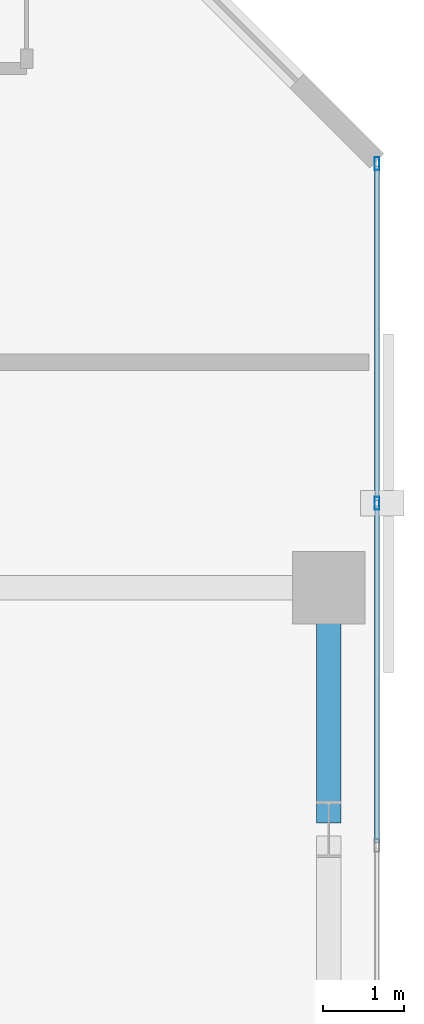
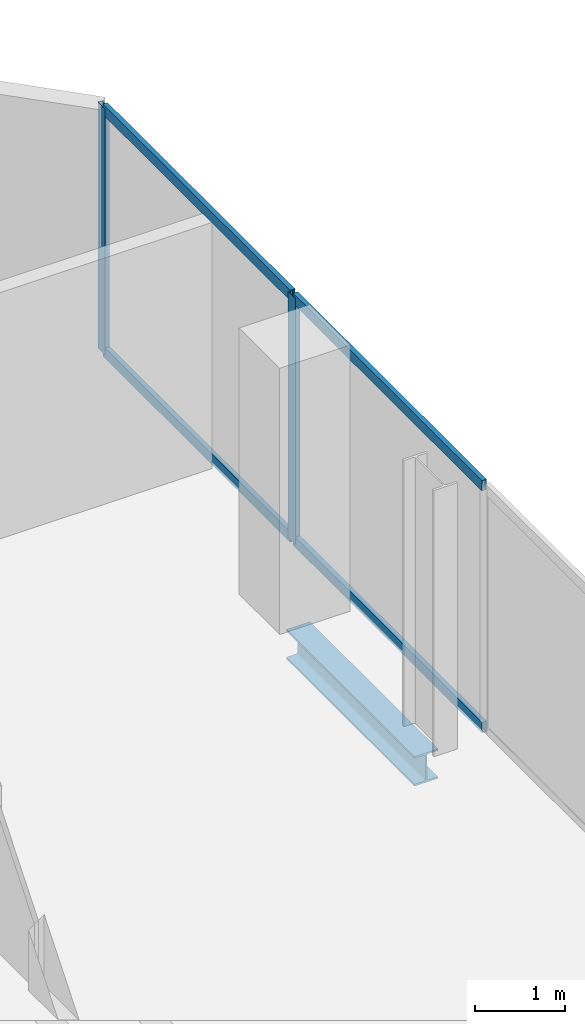
# One storey, part 26 of 33: 6 members, 1 beam, 1 element without a shape of its own.
"""IFC4 building model written with IfcOpenShell, lengths in metres."""

from ifc_helpers import new_model, si_unit, direction, frame, origin, origin_2d, place, context, subcontext, project, spatial, hollow_rectangle, i_section, extrude, material, layer, layer_set, material_profile, profile_set, type_object, element, aggregate, save


model = new_model("IFC4")

# Units and contexts
model_context = context("Model", 3, precision=1e-05, world=origin(), true_north=direction((0.0, 1.0)))
body_context = subcontext(model_context, "Body", "Model", "MODEL_VIEW")
ifc_project = project(units=[si_unit("LENGTHUNIT", "METRE"), si_unit("AREAUNIT", "SQUARE_METRE"), si_unit("VOLUMEUNIT", "CUBIC_METRE"), si_unit("PLANEANGLEUNIT", "RADIAN"), si_unit("MASSUNIT", "GRAM", prefix="KILO")], contexts=[model_context])

# Site, building, storey
site_placement = place(None, origin())
site = spatial("IfcSite", under=ifc_project, at=site_placement, CompositionType="ELEMENT")
building_placement = place(site_placement, origin())
building = spatial("IfcBuilding", under=site, at=building_placement, Name="Catumbela Crestline Tower", CompositionType="ELEMENT")
storey_placement = place(building_placement, frame((0.0, 0.0, 100.8)))
storey = spatial("IfcBuildingStorey", under=building, at=storey_placement, Name="L25", CompositionType="ELEMENT", Elevation=100.8)

# Curtain wall, members
ifc_material_1 = material(Name="Aluminium alloy AW-6060-T66", Category="aluminium")
ifc_layer = layer(ifc_material_1, 0.18, Name="Aluminium alloy AW-6060-T66")
ifc_layer_set = layer_set([ifc_layer], Name="Aluminium alloy AW-6060-T66")
curtain_wall_type = type_object("IfcCurtainWallType", Name="CWU-Z2", PredefinedType="USERDEFINED", material=ifc_layer_set)
curtain_wall_placement = place(storey_placement, origin())
curtain_wall = element("IfcCurtainWall", 1, at=curtain_wall_placement, inside=storey, type_object=curtain_wall_type, Name="L25 Unitised Curtain Wall CW-L25-E5S1", ObjectType="UNITISED", PredefinedType="USERDEFINED")
ifc_material_profile_1 = material_profile(ifc_material_1, hollow_rectangle(XDim=0.06, YDim=0.16, WallThickness=0.004, at=origin_2d()), Name="ALU 160x60x4")
ifc_profile_set_1 = profile_set([ifc_material_profile_1], Name="Aluminium alloy AW-6060-T66")
member_type_1 = type_object("IfcMemberType", Name="MUL-160X60", PredefinedType="MULLION", material=ifc_profile_set_1)
member_1_placement = place(storey_placement, frame((51.0, 40.25, 0.0), z_axis=(0.0, 0.0, 1.0), x_axis=(-1.0, 0.0, 0.0)))
member_1 = element("IfcMember", 2, at=member_1_placement, type_object=member_type_1, Name="CWU-Z2 mullion 4", PredefinedType="MULLION", context=body_context, shape_type="SweptSolid", body=[
    extrude(hollow_rectangle(XDim=0.06, YDim=0.16, WallThickness=0.004, at=origin_2d()), origin(), (0.0, 0.0, 1.0), 3.33),
])
member_2_placement = place(storey_placement, frame((51.0, 44.4675, 0.0), z_axis=(0.0, 0.0, 1.0), x_axis=(-1.0, 0.0, 0.0)))
member_2 = element("IfcMember", 3, at=member_2_placement, type_object=member_type_1, Name="CWU-Z2 mullion 5", PredefinedType="MULLION", context=body_context, shape_type="SweptSolid", body=[
    extrude(hollow_rectangle(XDim=0.06, YDim=0.16, WallThickness=0.004, at=origin_2d()), origin(), (0.0, 0.0, 1.0), 3.33),
])

# Beam
ifc_material_2 = material(Name="Structural steel S355J2", Category="steel")
ifc_material_profile_2 = material_profile(ifc_material_2, i_section(OverallWidth=0.3, OverallDepth=0.4, WebThickness=0.0135, FlangeThickness=0.024, FilletRadius=0.027, at=origin_2d()), Name="HEB 400")
ifc_profile_set_2 = profile_set([ifc_material_profile_2], Name="Structural steel S355J2")
beam_type = type_object("IfcBeamType", Name="BS-HEB400", PredefinedType="SPANDREL", material=ifc_profile_set_2)
beam_placement = place(storey_placement, frame((50.4, 36.28, -0.46), z_axis=(0.0, 1.0, 0.0), x_axis=(-1.0, 0.0, 0.0)))
element("IfcBeam", 4, at=beam_placement, inside=storey, type_object=beam_type, Name="L25 Spandrel SP-L25-SN36", PredefinedType="SPANDREL", context=body_context, shape_type="SweptSolid", body=[
    extrude(i_section(OverallWidth=0.3, OverallDepth=0.4, WebThickness=0.0135, FlangeThickness=0.024, FilletRadius=0.027, at=origin_2d()), origin(), (0.0, 0.0, 1.0), 2.84),
])

# Member
ifc_material_profile_3 = material_profile(ifc_material_1, hollow_rectangle(XDim=0.06, YDim=0.14, WallThickness=0.004, at=origin_2d()), Name="ALU 140x60x4")
ifc_profile_set_3 = profile_set([ifc_material_profile_3], Name="Aluminium alloy AW-6060-T66")
member_type_2 = type_object("IfcMemberType", Name="TRN-140X60", PredefinedType="USERDEFINED", material=ifc_profile_set_3)
member_3_placement = place(storey_placement, frame((51.0, 36.0325, 0.03), z_axis=(0.0, 1.0, 0.0), x_axis=(-1.0, 0.0, 0.0)))
member_3 = element("IfcMember", 5, at=member_3_placement, type_object=member_type_2, Name="CWU-Z2 transom 3.1", ObjectType="TRANSOM", PredefinedType="USERDEFINED", context=body_context, shape_type="SweptSolid", body=[
    extrude(hollow_rectangle(XDim=0.06, YDim=0.14, WallThickness=0.004, at=origin_2d()), origin(), (0.0, 0.0, 1.0), 4.185),
])

member_4_placement = place(storey_placement, frame((51.0, 36.0325, 3.3), z_axis=(0.0, 1.0, 0.0), x_axis=(-1.0, 0.0, 0.0)))
member_4 = element("IfcMember", 6, at=member_4_placement, type_object=member_type_2, Name="CWU-Z2 transom 3.2", ObjectType="TRANSOM", PredefinedType="USERDEFINED", context=body_context, shape_type="SweptSolid", body=[
    extrude(hollow_rectangle(XDim=0.06, YDim=0.14, WallThickness=0.004, at=origin_2d()), origin(), (0.0, 0.0, 1.0), 4.185),
])

member_5_placement = place(storey_placement, frame((51.0, 40.2825, 0.03), z_axis=(0.0, 1.0, 0.0), x_axis=(-1.0, 0.0, 0.0)))
member_5 = element("IfcMember", 7, at=member_5_placement, type_object=member_type_2, Name="CWU-Z2 transom 4.1", ObjectType="TRANSOM", PredefinedType="USERDEFINED", context=body_context, shape_type="SweptSolid", body=[
    extrude(hollow_rectangle(XDim=0.06, YDim=0.14, WallThickness=0.004, at=origin_2d()), origin(), (0.0, 0.0, 1.0), 4.1525),
])

member_6_placement = place(storey_placement, frame((51.0, 40.2825, 3.3), z_axis=(0.0, 1.0, 0.0), x_axis=(-1.0, 0.0, 0.0)))
member_6 = element("IfcMember", 8, at=member_6_placement, type_object=member_type_2, Name="CWU-Z2 transom 4.2", ObjectType="TRANSOM", PredefinedType="USERDEFINED", context=body_context, shape_type="SweptSolid", body=[
    extrude(hollow_rectangle(XDim=0.06, YDim=0.14, WallThickness=0.004, at=origin_2d()), origin(), (0.0, 0.0, 1.0), 4.1525),
])

aggregate(curtain_wall, [member_1, member_2, member_3, member_4, member_5, member_6])

save(model, "model.ifc")
